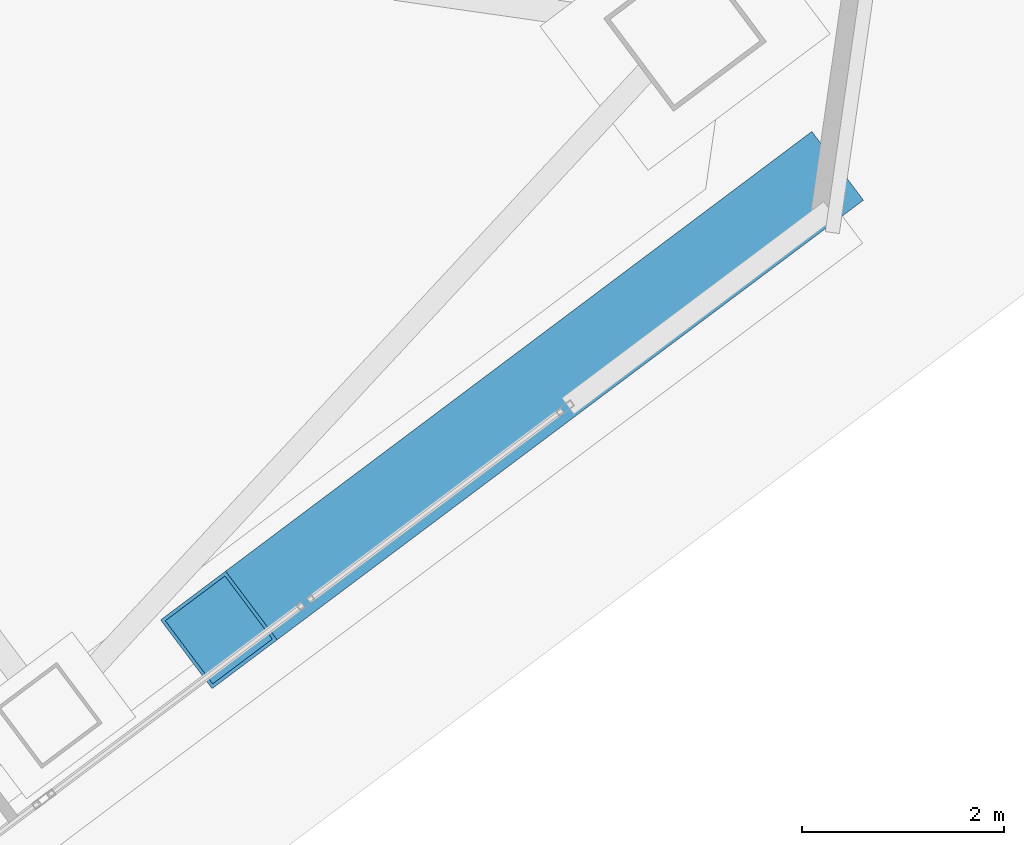
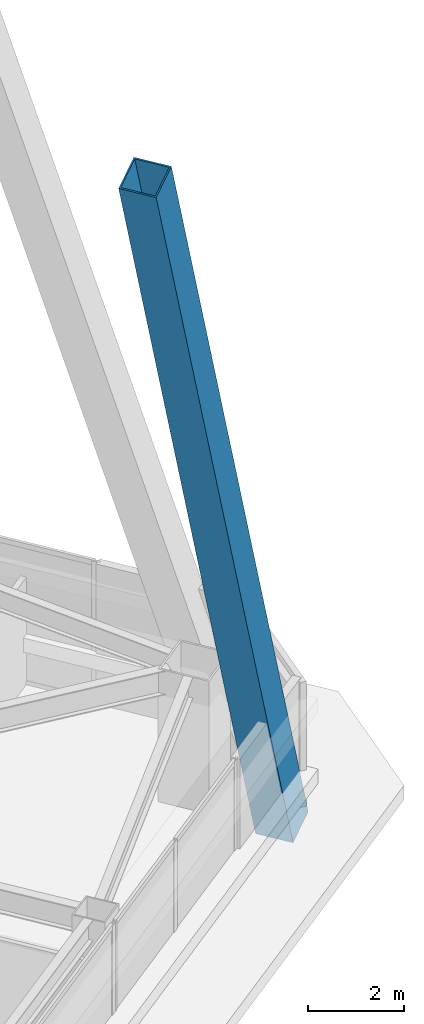
# One storey, part 41 of 65: 1 member.
"""IFC4 building model written with IfcOpenShell, lengths in metres."""

from ifc_helpers import new_model, si_unit, direction, frame, origin, origin_2d, place, context, subcontext, project, spatial, hollow_rectangle, extrude, material, material_profile, profile_set, type_object, element, save


model = new_model("IFC4")

# Units and contexts
model_context = context("Model", 3, precision=1e-05, world=origin(), true_north=direction((0.0, 1.0)))
body_context = subcontext(model_context, "Body", "Model", "MODEL_VIEW")
ifc_project = project(units=[si_unit("LENGTHUNIT", "METRE"), si_unit("AREAUNIT", "SQUARE_METRE"), si_unit("VOLUMEUNIT", "CUBIC_METRE"), si_unit("PLANEANGLEUNIT", "RADIAN"), si_unit("MASSUNIT", "GRAM", prefix="KILO")], contexts=[model_context])

# Site, building, storey
site_placement = place(None, origin())
site = spatial("IfcSite", under=ifc_project, at=site_placement, CompositionType="ELEMENT")
building_placement = place(site_placement, origin())
building = spatial("IfcBuilding", under=site, at=building_placement, Name="Tashvorn Skyway Center", CompositionType="ELEMENT")
storey_placement = place(building_placement, frame((0.0, 0.0, 157.0)))
storey = spatial("IfcBuildingStorey", under=building, at=storey_placement, Name="L42", CompositionType="ELEMENT", Elevation=157.0)

# Member
ifc_material = material(Name="Steel ASTM A572 Grade 50", Category="steel")
ifc_material_profile = material_profile(ifc_material, hollow_rectangle(XDim=0.85009765625, YDim=0.85009765625, WallThickness=0.034912109375, at=origin_2d()), Name="BOX850x850x35")
ifc_profile_set = profile_set([ifc_material_profile], Name="Steel ASTM A572 Grade 50")
member_type = type_object("IfcMemberType", Name="MEM-MB-850", PredefinedType="BRACE", material=ifc_profile_set)
member_placement = place(storey_placement, frame((135.488037109375, 27.51611328125, -0.199951171875), z_axis=(-0.260516960209, -0.195390461632, 0.945491132135), x_axis=(0.600005387845, -0.799995959088, 0.0)))
element("IfcMember", 1, at=member_placement, inside=storey, type_object=member_type, Name="Tower 2 Zone 4 S Chevron Mega-Brace R1", PredefinedType="BRACE", context=body_context, shape_type="SweptSolid", body=[
    extrude(hollow_rectangle(XDim=0.85009765625, YDim=0.85009765625, WallThickness=0.034912109375, at=origin_2d()), origin(), (0.0, 0.0, 1.0), 22.263671875),
])

save(model, "model.ifc")
